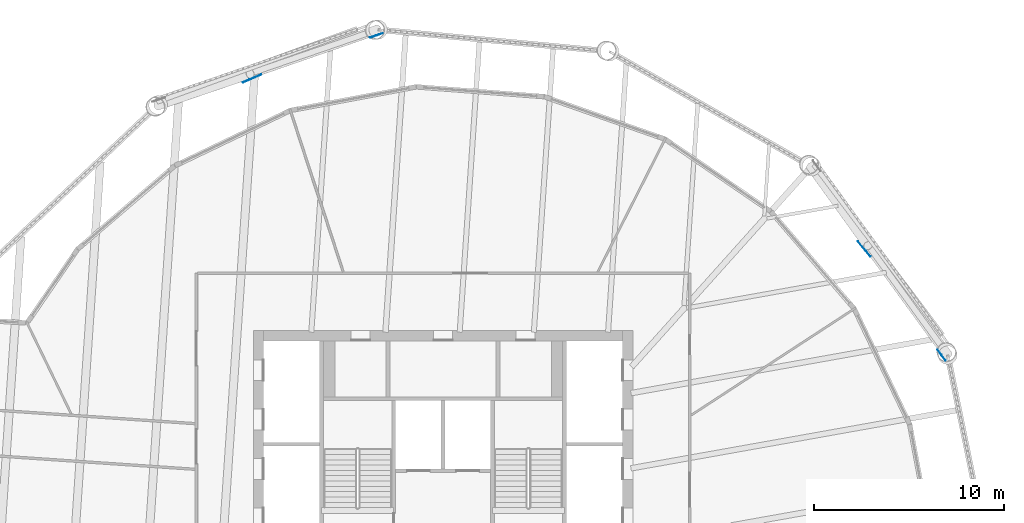
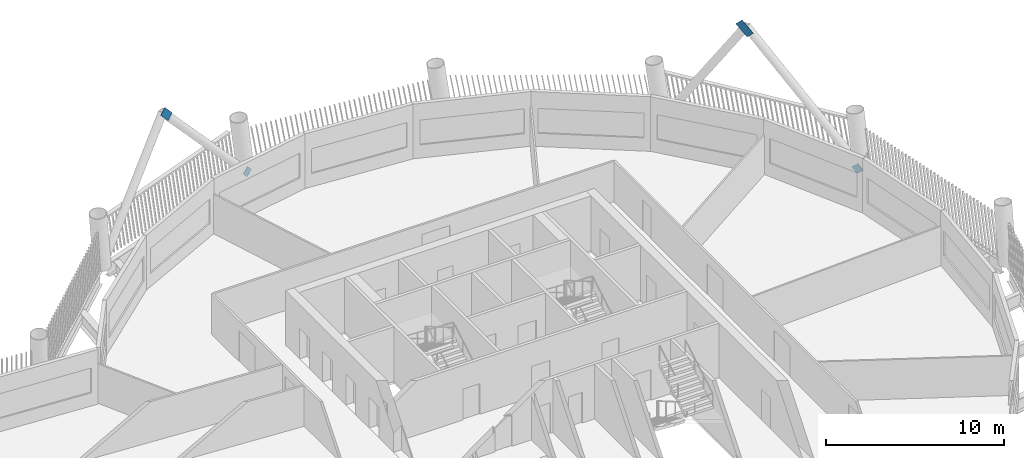
# One storey, part 10 of 22: 4 discrete accessories.
"""IFC4 building model written with IfcOpenShell, lengths in metres."""

import ifcopenshell
import ifcopenshell.guid

model = None  # the IFC model being written
_history = None  # IfcOwnerHistory: only IFC2X3 demands one
_inside = {}  # id of a spatial element -> (the spatial element, [elements in it])
_under = {}  # id of a project, library or spatial element -> (it, [spatial elements below it])
_declared = {}  # id of a project -> (the project, [libraries it declares])
_typed = {}  # id of a type object -> (the type object, [elements of that type])
_made_of = {}  # id of a material, layer set ... -> (it, [elements and type objects made of it])


def new_model(schema):
    """Start an empty IFC model of exactly this schema.

    Asked for "IFC4X3", IfcOpenShell would pick the latest addendum, in which some entities
    have other attributes; the version numbers below select the first issue.
    IFC2X3 requires an IfcOwnerHistory on every rooted entity: one is made here for all.
    """
    global model, _history
    if schema == "IFC4X3":
        model = ifcopenshell.file(schema_version=(4, 3, 0, 0))
    else:
        model = ifcopenshell.file(schema=schema)
    _inside.clear()
    _under.clear()
    _declared.clear()
    _typed.clear()
    _made_of.clear()
    _history = None
    if model.schema == "IFC2X3":
        org = make("IfcOrganization", Name="unknown")
        user = make(
            "IfcPersonAndOrganization",
            ThePerson=make("IfcPerson", FamilyName="unknown"),
            TheOrganization=org,
        )
        app = make(
            "IfcApplication",
            ApplicationDeveloper=org,
            Version="unknown",
            ApplicationFullName="unknown",
            ApplicationIdentifier="unknown",
        )
        _history = make(
            "IfcOwnerHistory",
            OwningUser=user,
            OwningApplication=app,
            ChangeAction="ADDED",
            CreationDate=0,
        )
    return model


def make(cls, **values):
    """One entity of the class cls with the attributes given. An attribute that is None is left unset."""
    return model.create_entity(
        cls, **{name: value for name, value in values.items() if value is not None}
    )


def rooted(cls, **values):
    """An entity with a GlobalId (a new one), such as an element, a storey or a relation."""
    return make(cls, GlobalId=ifcopenshell.guid.new(), OwnerHistory=_history, **values)


def si_unit(unit_type, name, prefix=None):
    """IfcSIUnit, for example si_unit("LENGTHUNIT", "METRE", prefix="MILLI")."""
    return make("IfcSIUnit", UnitType=unit_type, Prefix=prefix, Name=name)


def assignment(units):
    """IfcUnitAssignment: the units of a project."""
    return None if units is None else make("IfcUnitAssignment", Units=units)


def point(xyz):
    """IfcCartesianPoint."""
    return None if xyz is None else make("IfcCartesianPoint", Coordinates=xyz)


def direction(xyz):
    """IfcDirection."""
    return None if xyz is None else make("IfcDirection", DirectionRatios=xyz)


def frame(location, z_axis=None, x_axis=None):
    """IfcAxis2Placement3D, a coordinate frame: its origin and axes. An axis left out is left unset."""
    return make(
        "IfcAxis2Placement3D",
        Location=point(location),
        Axis=direction(z_axis),
        RefDirection=direction(x_axis),
    )


def frame_2d(location, x_axis=None):
    """IfcAxis2Placement2D, a coordinate frame in the plane: its origin and x axis."""
    return make(
        "IfcAxis2Placement2D", Location=point(location), RefDirection=direction(x_axis)
    )


def origin():
    """The frame at (0, 0, 0) with its axes left unset."""
    return frame((0.0, 0.0, 0.0))


def origin_2d():
    """The frame at (0, 0) in the plane with its x axis left unset."""
    return frame_2d((0.0, 0.0))


def place(relative_to, where):
    """IfcLocalPlacement: puts the frame where relative to a parent placement (None: the world)."""
    return make(
        "IfcLocalPlacement", PlacementRelTo=relative_to, RelativePlacement=where
    )


def context(
    kind, dimensions, precision=None, world=None, true_north=None, identifier=None
):
    """IfcGeometricRepresentationContext, for example the 3D "Model" context."""
    return make(
        "IfcGeometricRepresentationContext",
        ContextIdentifier=identifier,
        ContextType=kind,
        CoordinateSpaceDimension=dimensions,
        Precision=precision,
        WorldCoordinateSystem=world,
        TrueNorth=true_north,
    )


def subcontext(parent, identifier, kind, view, scale=None):
    """IfcGeometricRepresentationSubContext, for example "Body" below "Model"."""
    return make(
        "IfcGeometricRepresentationSubContext",
        ContextIdentifier=identifier,
        ContextType=kind,
        ParentContext=parent,
        TargetScale=scale,
        TargetView=view,
    )


def project(units=None, contexts=None):
    """IfcProject with its units and contexts."""
    return rooted(
        "IfcProject",
        Name="project",
        RepresentationContexts=contexts,
        UnitsInContext=assignment(units),
    )


def spatial(cls, under=None, at=None, **own):
    """A site, building, storey or space (cls), placed at a placement, below another one or the project."""
    s = rooted(cls, ObjectPlacement=at, **own)
    if under is not None:
        _under.setdefault(under.id(), (under, []))[1].append(s)
    return s


def profile(cls, at=None, kind="AREA", **sizes):
    """A parametric profile (cls). Its sizes go by their IFC names, for example OverallWidth=200.0."""
    return make(cls, ProfileType=kind, Position=at, **sizes)


def rectangle(**sizes):
    """IfcRectangleProfileDef."""
    return profile("IfcRectangleProfileDef", **sizes)


def extrude(swept, where, along, depth):
    """IfcExtrudedAreaSolid: the profile swept, set in the frame where, extruded along a direction by depth."""
    return make(
        "IfcExtrudedAreaSolid",
        SweptArea=swept,
        Position=where,
        ExtrudedDirection=direction(along),
        Depth=depth,
    )


def shape(context_of_items, identifier, shape_type, items):
    """IfcShapeRepresentation: the items that make up one representation, for example the "Body"."""
    return make(
        "IfcShapeRepresentation",
        ContextOfItems=context_of_items,
        RepresentationIdentifier=identifier,
        RepresentationType=shape_type,
        Items=items,
    )


def material(Name=None, Category=None):
    """IfcMaterial."""
    return make("IfcMaterial", Name=Name, Category=Category)


def material_profile(
    of_material, cross_section, Name=None, Category=None, Priority=None
):
    """IfcMaterialProfile: a cross section and its material."""
    return make(
        "IfcMaterialProfile",
        Name=Name,
        Material=of_material,
        Profile=cross_section,
        Priority=Priority,
        Category=Category,
    )


def profile_set(profiles, Name=None, composite=None):
    """IfcMaterialProfileSet."""
    return make(
        "IfcMaterialProfileSet",
        Name=Name,
        MaterialProfiles=profiles,
        CompositeProfile=composite,
    )


def made_of(thing, what):
    """Note that an element or type object is made of a material, layer set ...; save() writes the relation."""
    if what is not None:
        _made_of.setdefault(what.id(), (what, []))[1].append(thing)
    return thing


def type_object(cls, material=None, **own):
    """A type object (cls), such as IfcWallType, which elements share."""
    return made_of(rooted(cls, **own), material)


def element(
    cls,
    number,
    at=None,
    inside=None,
    cuts=None,
    type_object=None,
    material=None,
    context=None,
    identifier="Body",
    shape_type=None,
    held_by="IfcProductDefinitionShape",
    body=None,
    shapes=None,
    **own,
):
    """One element of the class cls, such as IfcWall. Its Tag is "e" and its number.

    at: its placement. inside: the storey or other place that contains it. cuts: it is an
    opening in that element (IfcRelVoidsElement). A single representation is given by context,
    identifier, shape_type and body (its items); several are given by shapes. held_by: the class
    of the entity that holds the representations. save() writes the other relations.
    """
    e = rooted(cls, Tag="e%d" % number, ObjectPlacement=at, **own)
    if body is not None:
        shapes = [shape(context, identifier, shape_type, body)]
    if shapes is not None:
        e.Representation = make(held_by, Representations=shapes)
    if inside is not None:
        _inside.setdefault(inside.id(), (inside, []))[1].append(e)
    if cuts is not None:
        rooted(
            "IfcRelVoidsElement", RelatingBuildingElement=cuts, RelatedOpeningElement=e
        )
    if type_object is not None:
        _typed.setdefault(type_object.id(), (type_object, []))[1].append(e)
    return made_of(e, material)


def aggregate(whole, parts):
    """IfcRelAggregates: a whole, such as a stair, and the parts it consists of."""
    return rooted("IfcRelAggregates", RelatingObject=whole, RelatedObjects=parts)


def save(model, path):
    """Write the relations noted so far, then the file.

    IfcRelAggregates (storeys below a building ...), IfcRelContainedInSpatialStructure (elements
    in a storey), IfcRelDefinesByType, IfcRelAssociatesMaterial and IfcRelDeclares: one each for
    every whole, place, type object, material and project.
    """
    for whole, parts in _under.values():
        aggregate(whole, parts)
    for where, things in _inside.values():
        rooted(
            "IfcRelContainedInSpatialStructure",
            RelatedElements=things,
            RelatingStructure=where,
        )
    for kind, things in _typed.values():
        rooted("IfcRelDefinesByType", RelatedObjects=things, RelatingType=kind)
    for what, things in _made_of.values():
        rooted("IfcRelAssociatesMaterial", RelatedObjects=things, RelatingMaterial=what)
    for by, libraries in _declared.values():
        rooted("IfcRelDeclares", RelatingContext=by, RelatedDefinitions=libraries)
    model.write(path)


model = new_model("IFC4")

# Units and contexts
model_context = context("Model", 3, precision=1e-05, world=origin(), true_north=direction((0.0, 1.0)))
body_context = subcontext(model_context, "Body", "Model", "MODEL_VIEW")
ifc_project = project(units=[si_unit("LENGTHUNIT", "METRE"), si_unit("AREAUNIT", "SQUARE_METRE"), si_unit("VOLUMEUNIT", "CUBIC_METRE"), si_unit("PLANEANGLEUNIT", "RADIAN"), si_unit("MASSUNIT", "GRAM", prefix="KILO")], contexts=[model_context])

# Site, building, storey
site_placement = place(None, origin())
site = spatial("IfcSite", under=ifc_project, at=site_placement, CompositionType="ELEMENT")
building_placement = place(site_placement, origin())
building = spatial("IfcBuilding", under=site, at=building_placement, Name="Tarsis Ring Headquarters", CompositionType="ELEMENT")
storey_placement = place(building_placement, frame((0.0, 0.0, 270.800048828125)))
storey = spatial("IfcBuildingStorey", under=building, at=storey_placement, Name="L63", CompositionType="ELEMENT", Elevation=270.800048828125)

# Discrete accessories
ifc_material = material(Name="Structural steel S355", Category="steel")
ifc_material_profile = material_profile(ifc_material, rectangle(XDim=0.02490234375, YDim=0.5, at=origin_2d()), Name="PL 25x500")
ifc_profile_set = profile_set([ifc_material_profile], Name="Structural steel S355")
discrete_accessory_type = type_object("IfcDiscreteAccessoryType", Name="Gusset plate Exo brace 25", PredefinedType="BRACKET", material=ifc_profile_set)
discrete_accessory_1_placement = place(storey_placement, frame((26.367431640625, 11.554931640625, 0.0), z_axis=(-0.396911623879, 0.544838096248, 0.738655949483), x_axis=(-0.808266040783, -0.588817465194, 0.0)))
element("IfcDiscreteAccessory", 1, at=discrete_accessory_1_placement, inside=storey, type_object=discrete_accessory_type, Name="Gusset plate GP5", PredefinedType="BRACKET", context=body_context, shape_type="SweptSolid", body=[
    extrude(rectangle(XDim=0.02490234375, YDim=0.5, at=origin_2d()), origin(), (0.0, 0.0, 1.0), 0.5),
])
discrete_accessory_2_placement = place(storey_placement, frame((22.402587890625, 17.032470703125, 7.4306640625), z_axis=(-0.431391470382, 0.517816247131, 0.738760944751), x_axis=(-0.768310347491, -0.640077503072, 0.0)))
element("IfcDiscreteAccessory", 2, at=discrete_accessory_2_placement, inside=storey, type_object=discrete_accessory_type, Name="Gusset plate GP5", PredefinedType="BRACKET", context=body_context, shape_type="SweptSolid", body=[
    extrude(rectangle(XDim=0.02490234375, YDim=0.5, at=origin_2d()), origin(), (0.0, 0.0, 1.0), 1.0),
])
discrete_accessory_3_placement = place(storey_placement, frame((-3.354736328125, 28.592041015625, 0.0), z_axis=(-0.636750251995, -0.220714044403, 0.738806082262), x_axis=(0.32750871708, -0.944848157238, 0.0)))
element("IfcDiscreteAccessory", 3, at=discrete_accessory_3_placement, inside=storey, type_object=discrete_accessory_type, Name="Gusset plate GP5", PredefinedType="BRACKET", context=body_context, shape_type="SweptSolid", body=[
    extrude(rectangle(XDim=0.02490234375, YDim=0.5, at=origin_2d()), origin(), (0.0, 0.0, 1.0), 0.5),
])
discrete_accessory_4_placement = place(storey_placement, frame((-9.7509765625, 26.39892578125, 7.4306640625), z_axis=(-0.621122683208, -0.261486789983, 0.7388039463), x_axis=(0.38800841056, -0.921655832366, 0.0)))
element("IfcDiscreteAccessory", 4, at=discrete_accessory_4_placement, inside=storey, type_object=discrete_accessory_type, Name="Gusset plate GP5", PredefinedType="BRACKET", context=body_context, shape_type="SweptSolid", body=[
    extrude(rectangle(XDim=0.02490234375, YDim=0.5, at=origin_2d()), origin(), (0.0, 0.0, 1.0), 1.0),
])

save(model, "model.ifc")
